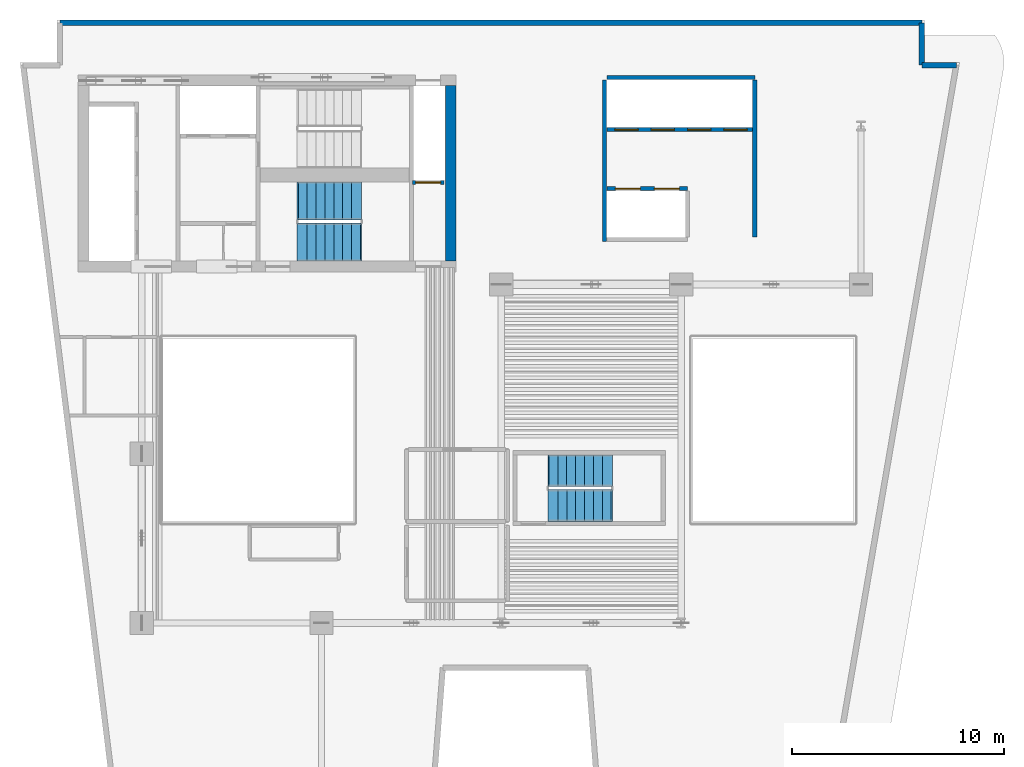
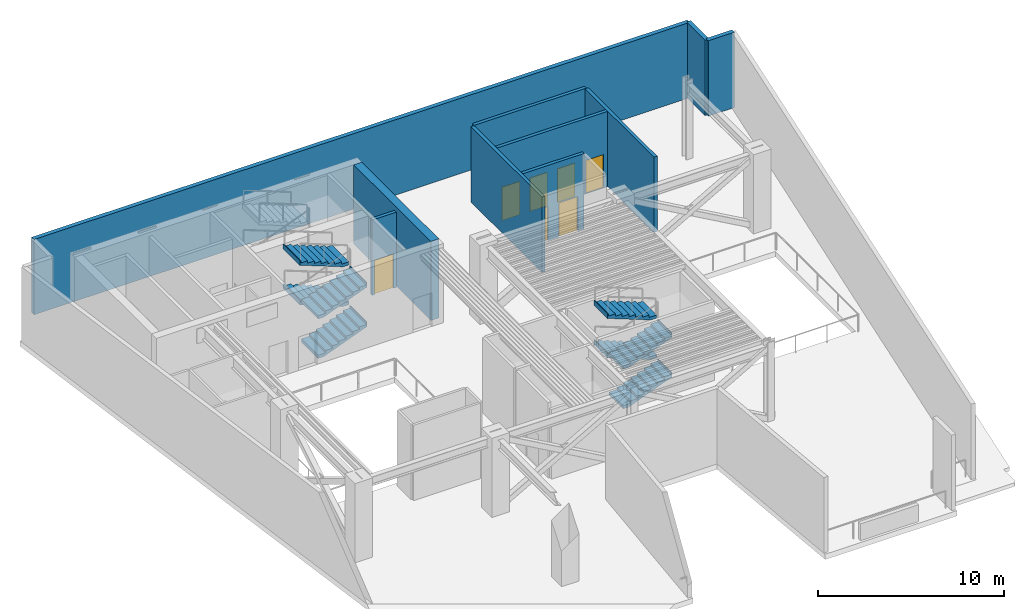
# One storey, part 4 of 8: 10 walls, 8 stair flights, 7 doors, 7 openings, 2 elements without a shape of their own.
"""IFC4 building model written with IfcOpenShell, lengths in metres."""

from ifc_helpers import new_model, si_unit, direction, frame, frame_2d, origin, place, context, subcontext, project, spatial, polyline, rectangle, outline, extrude, material, layer, layer_set, type_object, element, fill, aggregate, save


model = new_model("IFC4")

# Units and contexts
model_context = context("Model", 3, precision=1e-05, world=origin(), true_north=direction((0.0, 1.0)))
body_context = subcontext(model_context, "Body", "Model", "MODEL_VIEW")
ifc_project = project(units=[si_unit("LENGTHUNIT", "METRE"), si_unit("AREAUNIT", "SQUARE_METRE"), si_unit("VOLUMEUNIT", "CUBIC_METRE"), si_unit("PLANEANGLEUNIT", "RADIAN"), si_unit("MASSUNIT", "GRAM", prefix="KILO")], contexts=[model_context])

# Site, building, storey
site_placement = place(None, origin())
site = spatial("IfcSite", under=ifc_project, at=site_placement, CompositionType="ELEMENT")
building_placement = place(site_placement, origin())
building = spatial("IfcBuilding", under=site, at=building_placement, Name="Caeloran Harvest Quay", CompositionType="ELEMENT")
storey_placement = place(building_placement, frame((0.0, 0.0, 178.550048828125)))
storey = spatial("IfcBuildingStorey", under=building, at=storey_placement, Name="L42", CompositionType="ELEMENT", Elevation=178.550048828125)

# Walls
ifc_material_1 = material(Name="Precast concrete C50/60", Category="concrete")
ifc_layer_1 = layer(ifc_material_1, 0.260009765625, Name="Precast concrete C50/60")
ifc_layer_set_1 = layer_set([ifc_layer_1], Name="Precast concrete C50/60")
wall_type_1 = type_object("IfcWallType", Name="ENV-WALL-EW-260", PredefinedType="STANDARD", material=ifc_layer_set_1)
wall_1_placement = place(storey_placement, frame((4.6298828125, 43.3701171875, 0.0), z_axis=(0.0, 0.0, 1.0), x_axis=(1.0, 0.0, 0.0)))
element("IfcWall", 1, at=wall_1_placement, inside=storey, type_object=wall_type_1, Name="L42 Exterior Precast Concrete Facade Wall 6", PredefinedType="STANDARD", context=body_context, shape_type="SweptSolid", body=[
    extrude(rectangle(XDim=40.740234375, YDim=0.260009765625, at=frame_2d((20.3701171875, 0.0))), origin(), (0.0, 0.0, 1.0), 4.949951171875),
])
wall_2_placement = place(storey_placement, frame((45.3701171875, 43.3701171875, 0.0), z_axis=(0.0, 0.0, 1.0), x_axis=(0.0, -1.0, 0.0)))
element("IfcWall", 2, at=wall_2_placement, inside=storey, type_object=wall_type_1, Name="L42 Exterior Precast Concrete Facade Wall 7", PredefinedType="STANDARD", context=body_context, shape_type="SweptSolid", body=[
    extrude(rectangle(XDim=2.0, YDim=0.260009765625, at=frame_2d((1.0, 0.0))), origin(), (0.0, 0.0, 1.0), 4.949951171875),
])
wall_3_placement = place(storey_placement, frame((45.3701171875, 41.3701171875, 0.0), z_axis=(0.0, 0.0, 1.0), x_axis=(1.0, 0.0, 0.0)))
element("IfcWall", 3, at=wall_3_placement, inside=storey, type_object=wall_type_1, Name="L42 Exterior Precast Concrete Facade Wall 8", PredefinedType="STANDARD", context=body_context, shape_type="SweptSolid", body=[
    extrude(rectangle(XDim=1.6318359375, YDim=0.260009765625, at=frame_2d((0.81591796875, 0.0))), origin(), (0.0, 0.0, 1.0), 4.949951171875),
])

# Wall, opening, door
ifc_material_2 = material(Name="Concrete C50/60", Category="concrete")
ifc_layer_2 = layer(ifc_material_2, 0.199951171875, Name="Concrete C50/60")
ifc_layer_set_2 = layer_set([ifc_layer_2], Name="Concrete C50/60")
wall_type_2 = type_object("IfcWallType", Name="INT-WALL-SW-200", PredefinedType="PARTITIONING", material=ifc_layer_set_2)
wall_4_placement = place(storey_placement, frame((21.300048828125, 35.820068359375, 0.0), z_axis=(0.0, 0.0, 1.0), x_axis=(1.0, 0.0, 0.0)))
wall_4 = element("IfcWall", 4, at=wall_4_placement, inside=storey, type_object=wall_type_2, Name="L42 Service Lift SV-2 Shaft Wall", PredefinedType="PARTITIONING", context=body_context, shape_type="SweptSolid", body=[
    extrude(rectangle(XDim=1.5, YDim=0.199951171875, at=frame_2d((0.75, 0.0))), origin(), (0.0, 0.0, 1.0), 4.949951171875),
])
opening_1_placement = place(wall_4_placement, frame((0.14501953125, 0.0, 0.0)))
opening_1 = element("IfcOpeningElement", 5, at=opening_1_placement, cuts=wall_4, Name="Opening LD-02", PredefinedType="OPENING", context=body_context, shape_type="SweptSolid", body=[
    extrude(rectangle(XDim=1.179931640625, YDim=2.25, at=frame_2d((0.58984375, 1.125))), frame((0.0, 0.10986328125, 0.0), z_axis=(0.0, -1.0, 0.0), x_axis=(1.0, 0.0, 0.0)), (0.0, 0.0, 1.0), 0.219970703125),
])
ifc_material_3 = material(Name="Stainless Steel Grade 316", Category="steel")
door_type_1 = type_object("IfcDoorType", Name="INTDOOR-LD-02", OperationType="NOTDEFINED", PredefinedType="DOOR", material=ifc_material_3)
door_1_placement = place(opening_1_placement, origin())
door_1 = element("IfcDoor", 6, at=door_1_placement, inside=storey, type_object=door_type_1, Name="Lift SV-2 Sliding Landing Door (L42)", OperationType="DOUBLE_DOOR_SLIDING", OverallHeight=2.25, OverallWidth=1.179931640625, PredefinedType="DOOR", context=body_context, shape_type="SweptSolid", body=[
    extrude(rectangle(XDim=1.179931640625, YDim=2.25, at=frame_2d((0.58984375, 1.125))), frame((0.0, 0.02490234375, 0.0), z_axis=(0.0, -1.0, 0.0), x_axis=(1.0, 0.0, 0.0)), (0.0, 0.0, 1.0), 0.050048828125),
])
fill(opening_1, door_1)

# Walls
wall_5_placement = place(storey_placement, frame((30.3798828125, 33.02001953125, 0.0), z_axis=(0.0, 0.0, 1.0), x_axis=(0.0, 1.0, 0.0)))
element("IfcWall", 7, at=wall_5_placement, inside=storey, type_object=wall_type_2, Name="L42 Bank 2 and Shuttle Lift Shaft West Wall", PredefinedType="PARTITIONING", context=body_context, shape_type="SweptSolid", body=[
    extrude(rectangle(XDim=7.639892578125, YDim=0.199951171875, at=frame_2d((3.81982421875, 0.0))), origin(), (0.0, 0.0, 1.0), 4.949951171875),
])
wall_6_placement = place(storey_placement, frame((30.5, 40.780029296875, 0.0), z_axis=(0.0, 0.0, 1.0), x_axis=(1.0, 0.0, 0.0)))
element("IfcWall", 8, at=wall_6_placement, inside=storey, type_object=wall_type_2, Name="L42 Bank 2 Lift Shaft North Wall", PredefinedType="PARTITIONING", context=body_context, shape_type="SweptSolid", body=[
    extrude(rectangle(XDim=6.97998046875, YDim=0.199951171875, at=frame_2d((3.489990234375, 0.0))), origin(), (0.0, 0.0, 1.0), 4.949951171875),
])
wall_7_placement = place(storey_placement, frame((37.47998046875, 33.239990234375, 0.0), z_axis=(0.0, 0.0, 1.0), x_axis=(0.0, 1.0, 0.0)))
element("IfcWall", 9, at=wall_7_placement, inside=storey, type_object=wall_type_2, Name="L42 Bank 2 Lift Shaft East Wall", PredefinedType="PARTITIONING", context=body_context, shape_type="SweptSolid", body=[
    extrude(rectangle(XDim=7.419921875, YDim=0.199951171875, at=frame_2d((3.7099609375, 0.0))), origin(), (0.0, 0.0, 1.0), 4.949951171875),
])

# Wall, openings, doors
wall_8_placement = place(storey_placement, frame((30.5, 38.320068359375, 0.0), z_axis=(0.0, 0.0, 1.0), x_axis=(1.0, 0.0, 0.0)))
wall_8 = element("IfcWall", 10, at=wall_8_placement, inside=storey, type_object=wall_type_2, Name="L42 Bank 2 Lift Landing Front Wall", PredefinedType="PARTITIONING", context=body_context, shape_type="SweptSolid", body=[
    extrude(rectangle(XDim=6.860107421875, YDim=0.199951171875, at=frame_2d((3.43017578125, 0.0))), origin(), (0.0, 0.0, 1.0), 4.949951171875),
])
opening_2_placement = place(wall_8_placement, frame((0.360107421875, 0.0, 0.0)))
opening_2 = element("IfcOpeningElement", 11, at=opening_2_placement, cuts=wall_8, Name="Opening LD-01", PredefinedType="OPENING", context=body_context, shape_type="SweptSolid", body=[
    extrude(rectangle(XDim=1.10009765625, YDim=2.199951171875, at=frame_2d((0.550048828125, 1.10009765625))), frame((0.0, 0.10986328125, 0.0), z_axis=(0.0, -1.0, 0.0), x_axis=(1.0, 0.0, 0.0)), (0.0, 0.0, 1.0), 0.219970703125),
])
opening_3_placement = place(wall_8_placement, frame((2.080078125, 0.0, 0.0)))
opening_3 = element("IfcOpeningElement", 12, at=opening_3_placement, cuts=wall_8, Name="Opening LD-01", PredefinedType="OPENING", context=body_context, shape_type="SweptSolid", body=[
    extrude(rectangle(XDim=1.10009765625, YDim=2.199951171875, at=frame_2d((0.550048828125, 1.10009765625))), frame((0.0, 0.10986328125, 0.0), z_axis=(0.0, -1.0, 0.0), x_axis=(1.0, 0.0, 0.0)), (0.0, 0.0, 1.0), 0.219970703125),
])
opening_4_placement = place(wall_8_placement, frame((3.800048828125, 0.0, 0.0)))
opening_4 = element("IfcOpeningElement", 13, at=opening_4_placement, cuts=wall_8, Name="Opening LD-01", PredefinedType="OPENING", context=body_context, shape_type="SweptSolid", body=[
    extrude(rectangle(XDim=1.10009765625, YDim=2.199951171875, at=frame_2d((0.550048828125, 1.10009765625))), frame((0.0, 0.10986328125, 0.0), z_axis=(0.0, -1.0, 0.0), x_axis=(1.0, 0.0, 0.0)), (0.0, 0.0, 1.0), 0.219970703125),
])
opening_5_placement = place(wall_8_placement, frame((5.52001953125, 0.0, 0.0)))
opening_5 = element("IfcOpeningElement", 14, at=opening_5_placement, cuts=wall_8, Name="Opening LD-01", PredefinedType="OPENING", context=body_context, shape_type="SweptSolid", body=[
    extrude(rectangle(XDim=1.10009765625, YDim=2.199951171875, at=frame_2d((0.550048828125, 1.10009765625))), frame((0.0, 0.10986328125, 0.0), z_axis=(0.0, -1.0, 0.0), x_axis=(1.0, 0.0, 0.0)), (0.0, 0.0, 1.0), 0.219970703125),
])
door_type_2 = type_object("IfcDoorType", Name="INTDOOR-LD-01", OperationType="NOTDEFINED", PredefinedType="DOOR", material=ifc_material_3)
door_2_placement = place(opening_2_placement, origin())
door_2 = element("IfcDoor", 15, at=door_2_placement, inside=storey, type_object=door_type_2, Name="Lift P2-1 Sliding Landing Door (L42)", OperationType="DOUBLE_DOOR_SLIDING", OverallHeight=2.199951171875, OverallWidth=1.10009765625, PredefinedType="DOOR", context=body_context, shape_type="SweptSolid", body=[
    extrude(rectangle(XDim=1.10009765625, YDim=2.199951171875, at=frame_2d((0.550048828125, 1.10009765625))), frame((0.0, 0.02490234375, 0.0), z_axis=(0.0, -1.0, 0.0), x_axis=(1.0, 0.0, 0.0)), (0.0, 0.0, 1.0), 0.050048828125),
])
fill(opening_2, door_2)
door_3_placement = place(opening_3_placement, origin())
door_3 = element("IfcDoor", 16, at=door_3_placement, inside=storey, type_object=door_type_2, Name="Lift P2-2 Sliding Landing Door (L42)", OperationType="DOUBLE_DOOR_SLIDING", OverallHeight=2.199951171875, OverallWidth=1.10009765625, PredefinedType="DOOR", context=body_context, shape_type="SweptSolid", body=[
    extrude(rectangle(XDim=1.10009765625, YDim=2.199951171875, at=frame_2d((0.550048828125, 1.10009765625))), frame((0.0, 0.02490234375, 0.0), z_axis=(0.0, -1.0, 0.0), x_axis=(1.0, 0.0, 0.0)), (0.0, 0.0, 1.0), 0.050048828125),
])
fill(opening_3, door_3)
door_4_placement = place(opening_4_placement, origin())
door_4 = element("IfcDoor", 17, at=door_4_placement, inside=storey, type_object=door_type_2, Name="Lift P2-3 Sliding Landing Door (L42)", OperationType="DOUBLE_DOOR_SLIDING", OverallHeight=2.199951171875, OverallWidth=1.10009765625, PredefinedType="DOOR", context=body_context, shape_type="SweptSolid", body=[
    extrude(rectangle(XDim=1.10009765625, YDim=2.199951171875, at=frame_2d((0.550048828125, 1.10009765625))), frame((0.0, 0.02490234375, 0.0), z_axis=(0.0, -1.0, 0.0), x_axis=(1.0, 0.0, 0.0)), (0.0, 0.0, 1.0), 0.050048828125),
])
fill(opening_4, door_4)
door_5_placement = place(opening_5_placement, origin())
door_5 = element("IfcDoor", 18, at=door_5_placement, inside=storey, type_object=door_type_2, Name="Lift P2-4 Sliding Landing Door (L42)", OperationType="DOUBLE_DOOR_SLIDING", OverallHeight=2.199951171875, OverallWidth=1.10009765625, PredefinedType="DOOR", context=body_context, shape_type="SweptSolid", body=[
    extrude(rectangle(XDim=1.10009765625, YDim=2.199951171875, at=frame_2d((0.550048828125, 1.10009765625))), frame((0.0, 0.02490234375, 0.0), z_axis=(0.0, -1.0, 0.0), x_axis=(1.0, 0.0, 0.0)), (0.0, 0.0, 1.0), 0.050048828125),
])
fill(opening_5, door_5)

wall_9_placement = place(storey_placement, frame((30.5, 35.530029296875, 0.0), z_axis=(0.0, 0.0, 1.0), x_axis=(1.0, 0.0, 0.0)))
wall_9 = element("IfcWall", 19, at=wall_9_placement, inside=storey, type_object=wall_type_2, Name="L42 Shuttle Lift Landing Front Wall", PredefinedType="PARTITIONING", context=body_context, shape_type="SweptSolid", body=[
    extrude(rectangle(XDim=3.800048828125, YDim=0.199951171875, at=frame_2d((1.89990234375, 0.0))), origin(), (0.0, 0.0, 1.0), 4.949951171875),
])
opening_6_placement = place(wall_9_placement, frame((0.385009765625, 0.0, 0.0)))
opening_6 = element("IfcOpeningElement", 20, at=opening_6_placement, cuts=wall_9, Name="Opening LD-02", PredefinedType="OPENING", context=body_context, shape_type="SweptSolid", body=[
    extrude(rectangle(XDim=1.179931640625, YDim=2.25, at=frame_2d((0.58984375, 1.125))), frame((0.0, 0.10986328125, 0.0), z_axis=(0.0, -1.0, 0.0), x_axis=(1.0, 0.0, 0.0)), (0.0, 0.0, 1.0), 0.219970703125),
])
opening_7_placement = place(wall_9_placement, frame((2.235107421875, 0.0, 0.0)))
opening_7 = element("IfcOpeningElement", 21, at=opening_7_placement, cuts=wall_9, Name="Opening LD-02", PredefinedType="OPENING", context=body_context, shape_type="SweptSolid", body=[
    extrude(rectangle(XDim=1.179931640625, YDim=2.25, at=frame_2d((0.58984375, 1.125))), frame((0.0, 0.10986328125, 0.0), z_axis=(0.0, -1.0, 0.0), x_axis=(1.0, 0.0, 0.0)), (0.0, 0.0, 1.0), 0.219970703125),
])
door_6_placement = place(opening_6_placement, origin())
door_6 = element("IfcDoor", 22, at=door_6_placement, inside=storey, type_object=door_type_1, Name="Lift SH-1 Sliding Landing Door (L42)", OperationType="DOUBLE_DOOR_SLIDING", OverallHeight=2.25, OverallWidth=1.179931640625, PredefinedType="DOOR", context=body_context, shape_type="SweptSolid", body=[
    extrude(rectangle(XDim=1.179931640625, YDim=2.25, at=frame_2d((0.58984375, 1.125))), frame((0.0, 0.02490234375, 0.0), z_axis=(0.0, -1.0, 0.0), x_axis=(1.0, 0.0, 0.0)), (0.0, 0.0, 1.0), 0.050048828125),
])
fill(opening_6, door_6)
door_7_placement = place(opening_7_placement, origin())
door_7 = element("IfcDoor", 23, at=door_7_placement, inside=storey, type_object=door_type_1, Name="Lift SH-2 Sliding Landing Door (L42)", OperationType="DOUBLE_DOOR_SLIDING", OverallHeight=2.25, OverallWidth=1.179931640625, PredefinedType="DOOR", context=body_context, shape_type="SweptSolid", body=[
    extrude(rectangle(XDim=1.179931640625, YDim=2.25, at=frame_2d((0.58984375, 1.125))), frame((0.0, 0.02490234375, 0.0), z_axis=(0.0, -1.0, 0.0), x_axis=(1.0, 0.0, 0.0)), (0.0, 0.0, 1.0), 0.050048828125),
])
fill(opening_7, door_7)

# Wall
ifc_material_4 = material(Name="Concrete C70/85", Category="concrete")
ifc_layer_3 = layer(ifc_material_4, 0.5, Name="Concrete C70/85")
ifc_layer_set_3 = layer_set([ifc_layer_3], Name="Concrete C70/85")
wall_type_3 = type_object("IfcWallType", Name="STR-WALL-CW-500", PredefinedType="SHEAR", material=ifc_layer_set_3)
wall_10_placement = place(storey_placement, frame((23.10009765625, 32.10009765625, 0.0), z_axis=(0.0, 0.0, 1.0), x_axis=(0.0, 1.0, 0.0)))
element("IfcWall", 24, at=wall_10_placement, inside=storey, type_object=wall_type_3, Name="L42 Rear Core Shear Wall E", PredefinedType="SHEAR", context=body_context, shape_type="SweptSolid", body=[
    extrude(rectangle(XDim=8.2998046875, YDim=0.5, at=frame_2d((4.14990234375, 0.0))), origin(), (0.0, 0.0, 1.0), 5.199951171875),
])

# Stair, stair flights
stair_type_1 = type_object("IfcStairType", Name="STAIR-STC-180", PredefinedType="HALF_TURN_STAIR", material=ifc_material_2)
stair_1_placement = place(storey_placement, origin())
stair_1 = element("IfcStair", 25, at=stair_1_placement, inside=storey, type_object=stair_type_1, Name="L42 Core Pressurized Exit Stair ST-C2", PredefinedType="HALF_TURN_STAIR")
stair_flight_type_1 = type_object("IfcStairFlightType", Name="FLIGHT-STC-180", PredefinedType="STRAIGHT", material=ifc_material_2)
stair_flight_1_placement = place(storey_placement, frame((15.89990234375, 33.0, 0.0), z_axis=(0.0, 0.0, 1.0), x_axis=(1.0, 0.0, 0.0)))
stair_flight_1 = element("IfcStairFlight", 26, at=stair_flight_1_placement, type_object=stair_flight_type_1, Name="ST-C2 flight 1", NumberOfRisers=8, NumberOfTreads=7, PredefinedType="STRAIGHT", RiserHeight=0.1625, TreadLength=0.42, context=body_context, shape_type="SweptSolid", body=[
    extrude(outline(polyline([(-0.054931640625, -0.044921875), (-0.054931640625, -0.031982421875), (-0.054931640625, -0.01904296875), (-0.054931640625, -0.006103515625), (-0.054931640625, 0.0068359375), (-0.054931640625, 0.019775390625), (-0.054931640625, 0.03271484375), (-0.054931640625, 0.0458984375), (-0.054931640625, 0.058837890625), (-0.054931640625, 0.07177734375), (-0.054931640625, 0.084716796875), (-0.054931640625, 0.09765625), (-0.054931640625, 0.110595703125), (-0.054931640625, 0.12353515625), (-0.054931640625, 0.136474609375), (-0.054931640625, 0.1494140625), (-0.054931640625, 0.16259765625), (0.419921875, 0.16259765625), (0.419921875, 0.324951171875), (0.840087890625, 0.324951171875), (0.840087890625, 0.487548828125), (1.260009765625, 0.487548828125), (1.260009765625, 0.64990234375), (1.679931640625, 0.64990234375), (1.679931640625, 0.8125), (2.10009765625, 0.8125), (2.10009765625, 0.97509765625), (2.52001953125, 0.97509765625), (2.52001953125, 1.137451171875), (2.93994140625, 1.137451171875), (2.93994140625, 1.300048828125), (2.9951171875, 1.300048828125), (2.9951171875, 1.27978515625), (2.9951171875, 1.259521484375), (2.9951171875, 1.239501953125), (2.9951171875, 1.21923828125), (2.9951171875, 1.198974609375), (2.9951171875, 1.1787109375), (2.9951171875, 1.15869140625), (2.9951171875, 1.138427734375), (2.9951171875, 1.1181640625), (2.9951171875, 1.097900390625), (2.9951171875, 1.077880859375), (2.9951171875, 1.0576171875), (2.9951171875, 1.037353515625), (2.9951171875, 1.01708984375), (2.9951171875, 0.9970703125), (2.9951171875, 0.976806640625), (2.93994140625, 0.976806640625), (0.299072265625, -0.044921875), (-0.054931640625, -0.044921875)])), frame((0.0, 0.89990234375, 0.0), z_axis=(0.0, -1.0, 0.0), x_axis=(1.0, 0.0, 0.0)), (0.0, 0.0, 1.0), 1.800048828125),
])
stair_flight_2_placement = place(storey_placement, frame((18.840087890625, 34.949951171875, 1.300048828125), z_axis=(0.0, 0.0, 1.0), x_axis=(-1.0, 0.0, 0.0)))
stair_flight_2 = element("IfcStairFlight", 27, at=stair_flight_2_placement, type_object=stair_flight_type_1, Name="ST-C2 flight 2", NumberOfRisers=8, NumberOfTreads=7, PredefinedType="STRAIGHT", RiserHeight=0.1625, TreadLength=0.42, context=body_context, shape_type="SweptSolid", body=[
    extrude(outline(polyline([(-0.054931640625, -0.044921875), (-0.054931640625, -0.031982421875), (-0.054931640625, -0.01904296875), (-0.054931640625, -0.006103515625), (-0.054931640625, 0.0068359375), (-0.054931640625, 0.019775390625), (-0.054931640625, 0.03271484375), (-0.054931640625, 0.0458984375), (-0.054931640625, 0.058837890625), (-0.054931640625, 0.07177734375), (-0.054931640625, 0.084716796875), (-0.054931640625, 0.09765625), (-0.054931640625, 0.110595703125), (-0.054931640625, 0.12353515625), (-0.054931640625, 0.136474609375), (-0.054931640625, 0.1494140625), (-0.054931640625, 0.16259765625), (0.419921875, 0.16259765625), (0.419921875, 0.324951171875), (0.840087890625, 0.324951171875), (0.840087890625, 0.487548828125), (1.260009765625, 0.487548828125), (1.260009765625, 0.64990234375), (1.679931640625, 0.64990234375), (1.679931640625, 0.8125), (2.10009765625, 0.8125), (2.10009765625, 0.97509765625), (2.52001953125, 0.97509765625), (2.52001953125, 1.137451171875), (2.93994140625, 1.137451171875), (2.93994140625, 1.300048828125), (2.9951171875, 1.300048828125), (2.9951171875, 1.27978515625), (2.9951171875, 1.259521484375), (2.9951171875, 1.239501953125), (2.9951171875, 1.21923828125), (2.9951171875, 1.198974609375), (2.9951171875, 1.1787109375), (2.9951171875, 1.15869140625), (2.9951171875, 1.138427734375), (2.9951171875, 1.1181640625), (2.9951171875, 1.097900390625), (2.9951171875, 1.077880859375), (2.9951171875, 1.0576171875), (2.9951171875, 1.037353515625), (2.9951171875, 1.01708984375), (2.9951171875, 0.9970703125), (2.9951171875, 0.976806640625), (2.93994140625, 0.976806640625), (0.299072265625, -0.044921875), (-0.054931640625, -0.044921875)])), frame((0.0, 0.89990234375, 0.0), z_axis=(0.0, -1.0, 0.0), x_axis=(1.0, 0.0, 0.0)), (0.0, 0.0, 1.0), 1.800048828125),
])
stair_flight_3_placement = place(storey_placement, frame((15.89990234375, 33.0, 2.599853515625), z_axis=(0.0, 0.0, 1.0), x_axis=(1.0, 0.0, 0.0)))
stair_flight_3 = element("IfcStairFlight", 28, at=stair_flight_3_placement, type_object=stair_flight_type_1, Name="ST-C2 flight 3", NumberOfRisers=8, NumberOfTreads=7, PredefinedType="STRAIGHT", RiserHeight=0.1625, TreadLength=0.42, context=body_context, shape_type="SweptSolid", body=[
    extrude(outline(polyline([(-0.054931640625, -0.044921875), (-0.054931640625, -0.031982421875), (-0.054931640625, -0.01904296875), (-0.054931640625, -0.006103515625), (-0.054931640625, 0.0068359375), (-0.054931640625, 0.019775390625), (-0.054931640625, 0.03271484375), (-0.054931640625, 0.0458984375), (-0.054931640625, 0.058837890625), (-0.054931640625, 0.07177734375), (-0.054931640625, 0.084716796875), (-0.054931640625, 0.09765625), (-0.054931640625, 0.110595703125), (-0.054931640625, 0.12353515625), (-0.054931640625, 0.136474609375), (-0.054931640625, 0.1494140625), (-0.054931640625, 0.16259765625), (0.419921875, 0.16259765625), (0.419921875, 0.324951171875), (0.840087890625, 0.324951171875), (0.840087890625, 0.487548828125), (1.260009765625, 0.487548828125), (1.260009765625, 0.64990234375), (1.679931640625, 0.64990234375), (1.679931640625, 0.8125), (2.10009765625, 0.8125), (2.10009765625, 0.97509765625), (2.52001953125, 0.97509765625), (2.52001953125, 1.137451171875), (2.93994140625, 1.137451171875), (2.93994140625, 1.300048828125), (2.9951171875, 1.300048828125), (2.9951171875, 1.27978515625), (2.9951171875, 1.259521484375), (2.9951171875, 1.239501953125), (2.9951171875, 1.21923828125), (2.9951171875, 1.198974609375), (2.9951171875, 1.1787109375), (2.9951171875, 1.15869140625), (2.9951171875, 1.138427734375), (2.9951171875, 1.1181640625), (2.9951171875, 1.097900390625), (2.9951171875, 1.077880859375), (2.9951171875, 1.0576171875), (2.9951171875, 1.037353515625), (2.9951171875, 1.01708984375), (2.9951171875, 0.9970703125), (2.9951171875, 0.976806640625), (2.93994140625, 0.976806640625), (0.299072265625, -0.044921875), (-0.054931640625, -0.044921875)])), frame((0.0, 0.89990234375, 0.0), z_axis=(0.0, -1.0, 0.0), x_axis=(1.0, 0.0, 0.0)), (0.0, 0.0, 1.0), 1.800048828125),
])
stair_flight_4_placement = place(storey_placement, frame((18.840087890625, 34.949951171875, 3.89990234375), z_axis=(0.0, 0.0, 1.0), x_axis=(-1.0, 0.0, 0.0)))
stair_flight_4 = element("IfcStairFlight", 29, at=stair_flight_4_placement, type_object=stair_flight_type_1, Name="ST-C2 flight 4", NumberOfRisers=8, NumberOfTreads=7, PredefinedType="STRAIGHT", RiserHeight=0.1625, TreadLength=0.42, context=body_context, shape_type="SweptSolid", body=[
    extrude(outline(polyline([(-0.054931640625, -0.044921875), (-0.054931640625, -0.031982421875), (-0.054931640625, -0.01904296875), (-0.054931640625, -0.006103515625), (-0.054931640625, 0.0068359375), (-0.054931640625, 0.019775390625), (-0.054931640625, 0.03271484375), (-0.054931640625, 0.0458984375), (-0.054931640625, 0.058837890625), (-0.054931640625, 0.07177734375), (-0.054931640625, 0.084716796875), (-0.054931640625, 0.09765625), (-0.054931640625, 0.110595703125), (-0.054931640625, 0.12353515625), (-0.054931640625, 0.136474609375), (-0.054931640625, 0.1494140625), (-0.054931640625, 0.16259765625), (0.419921875, 0.16259765625), (0.419921875, 0.324951171875), (0.840087890625, 0.324951171875), (0.840087890625, 0.487548828125), (1.260009765625, 0.487548828125), (1.260009765625, 0.64990234375), (1.679931640625, 0.64990234375), (1.679931640625, 0.8125), (2.10009765625, 0.8125), (2.10009765625, 0.97509765625), (2.52001953125, 0.97509765625), (2.52001953125, 1.137451171875), (2.93994140625, 1.137451171875), (2.93994140625, 1.300048828125), (2.9951171875, 1.300048828125), (2.9951171875, 1.27978515625), (2.9951171875, 1.259521484375), (2.9951171875, 1.239501953125), (2.9951171875, 1.21923828125), (2.9951171875, 1.198974609375), (2.9951171875, 1.1787109375), (2.9951171875, 1.15869140625), (2.9951171875, 1.138427734375), (2.9951171875, 1.1181640625), (2.9951171875, 1.097900390625), (2.9951171875, 1.077880859375), (2.9951171875, 1.0576171875), (2.9951171875, 1.037353515625), (2.9951171875, 1.01708984375), (2.9951171875, 0.9970703125), (2.9951171875, 0.976806640625), (2.93994140625, 0.976806640625), (0.299072265625, -0.044921875), (-0.054931640625, -0.044921875)])), frame((0.0, 0.89990234375, 0.0), z_axis=(0.0, -1.0, 0.0), x_axis=(1.0, 0.0, 0.0)), (0.0, 0.0, 1.0), 1.800048828125),
])
aggregate(stair_1, [stair_flight_1, stair_flight_2, stair_flight_3, stair_flight_4])

stair_type_2 = type_object("IfcStairType", Name="STAIR-STW-150", PredefinedType="HALF_TURN_STAIR", material=ifc_material_2)
stair_2_placement = place(storey_placement, origin())
stair_2 = element("IfcStair", 30, at=stair_2_placement, inside=storey, type_object=stair_type_2, Name="L42 East Wing Protected Exit Stair ST-W1", PredefinedType="HALF_TURN_STAIR")
stair_flight_type_2 = type_object("IfcStairFlightType", Name="FLIGHT-STW-150", PredefinedType="STRAIGHT", material=ifc_material_2)
stair_flight_5_placement = place(storey_placement, frame((27.75, 20.550048828125, 0.0), z_axis=(0.0, 0.0, 1.0), x_axis=(1.0, 0.0, 0.0)))
stair_flight_5 = element("IfcStairFlight", 31, at=stair_flight_5_placement, type_object=stair_flight_type_2, Name="ST-W1 flight 1", NumberOfRisers=8, NumberOfTreads=7, PredefinedType="STRAIGHT", RiserHeight=0.1625, TreadLength=0.42, context=body_context, shape_type="SweptSolid", body=[
    extrude(outline(polyline([(-0.054931640625, -0.044921875), (-0.054931640625, -0.031982421875), (-0.054931640625, -0.01904296875), (-0.054931640625, -0.006103515625), (-0.054931640625, 0.0068359375), (-0.054931640625, 0.019775390625), (-0.054931640625, 0.03271484375), (-0.054931640625, 0.0458984375), (-0.054931640625, 0.058837890625), (-0.054931640625, 0.07177734375), (-0.054931640625, 0.084716796875), (-0.054931640625, 0.09765625), (-0.054931640625, 0.110595703125), (-0.054931640625, 0.12353515625), (-0.054931640625, 0.136474609375), (-0.054931640625, 0.1494140625), (-0.054931640625, 0.16259765625), (0.419921875, 0.16259765625), (0.419921875, 0.324951171875), (0.840087890625, 0.324951171875), (0.840087890625, 0.487548828125), (1.260009765625, 0.487548828125), (1.260009765625, 0.64990234375), (1.679931640625, 0.64990234375), (1.679931640625, 0.8125), (2.10009765625, 0.8125), (2.10009765625, 0.97509765625), (2.52001953125, 0.97509765625), (2.52001953125, 1.137451171875), (2.93994140625, 1.137451171875), (2.93994140625, 1.300048828125), (2.9951171875, 1.300048828125), (2.9951171875, 1.27978515625), (2.9951171875, 1.259521484375), (2.9951171875, 1.239501953125), (2.9951171875, 1.21923828125), (2.9951171875, 1.198974609375), (2.9951171875, 1.1787109375), (2.9951171875, 1.15869140625), (2.9951171875, 1.138427734375), (2.9951171875, 1.1181640625), (2.9951171875, 1.097900390625), (2.9951171875, 1.077880859375), (2.9951171875, 1.0576171875), (2.9951171875, 1.037353515625), (2.9951171875, 1.01708984375), (2.9951171875, 0.9970703125), (2.9951171875, 0.976806640625), (2.93994140625, 0.976806640625), (0.299072265625, -0.044921875), (-0.054931640625, -0.044921875)])), frame((0.0, 0.75, 0.0), z_axis=(0.0, -1.0, 0.0), x_axis=(1.0, 0.0, 0.0)), (0.0, 0.0, 1.0), 1.5),
])
stair_flight_6_placement = place(storey_placement, frame((30.68994140625, 22.199951171875, 1.300048828125), z_axis=(0.0, 0.0, 1.0), x_axis=(-1.0, 0.0, 0.0)))
stair_flight_6 = element("IfcStairFlight", 32, at=stair_flight_6_placement, type_object=stair_flight_type_2, Name="ST-W1 flight 2", NumberOfRisers=8, NumberOfTreads=7, PredefinedType="STRAIGHT", RiserHeight=0.1625, TreadLength=0.42, context=body_context, shape_type="SweptSolid", body=[
    extrude(outline(polyline([(-0.054931640625, -0.044921875), (-0.054931640625, -0.031982421875), (-0.054931640625, -0.01904296875), (-0.054931640625, -0.006103515625), (-0.054931640625, 0.0068359375), (-0.054931640625, 0.019775390625), (-0.054931640625, 0.03271484375), (-0.054931640625, 0.0458984375), (-0.054931640625, 0.058837890625), (-0.054931640625, 0.07177734375), (-0.054931640625, 0.084716796875), (-0.054931640625, 0.09765625), (-0.054931640625, 0.110595703125), (-0.054931640625, 0.12353515625), (-0.054931640625, 0.136474609375), (-0.054931640625, 0.1494140625), (-0.054931640625, 0.16259765625), (0.419921875, 0.16259765625), (0.419921875, 0.324951171875), (0.840087890625, 0.324951171875), (0.840087890625, 0.487548828125), (1.260009765625, 0.487548828125), (1.260009765625, 0.64990234375), (1.679931640625, 0.64990234375), (1.679931640625, 0.8125), (2.10009765625, 0.8125), (2.10009765625, 0.97509765625), (2.52001953125, 0.97509765625), (2.52001953125, 1.137451171875), (2.93994140625, 1.137451171875), (2.93994140625, 1.300048828125), (2.9951171875, 1.300048828125), (2.9951171875, 1.27978515625), (2.9951171875, 1.259521484375), (2.9951171875, 1.239501953125), (2.9951171875, 1.21923828125), (2.9951171875, 1.198974609375), (2.9951171875, 1.1787109375), (2.9951171875, 1.15869140625), (2.9951171875, 1.138427734375), (2.9951171875, 1.1181640625), (2.9951171875, 1.097900390625), (2.9951171875, 1.077880859375), (2.9951171875, 1.0576171875), (2.9951171875, 1.037353515625), (2.9951171875, 1.01708984375), (2.9951171875, 0.9970703125), (2.9951171875, 0.976806640625), (2.93994140625, 0.976806640625), (0.299072265625, -0.044921875), (-0.054931640625, -0.044921875)])), frame((0.0, 0.75, 0.0), z_axis=(0.0, -1.0, 0.0), x_axis=(1.0, 0.0, 0.0)), (0.0, 0.0, 1.0), 1.5),
])
stair_flight_7_placement = place(storey_placement, frame((27.75, 20.550048828125, 2.599853515625), z_axis=(0.0, 0.0, 1.0), x_axis=(1.0, 0.0, 0.0)))
stair_flight_7 = element("IfcStairFlight", 33, at=stair_flight_7_placement, type_object=stair_flight_type_2, Name="ST-W1 flight 3", NumberOfRisers=8, NumberOfTreads=7, PredefinedType="STRAIGHT", RiserHeight=0.1625, TreadLength=0.42, context=body_context, shape_type="SweptSolid", body=[
    extrude(outline(polyline([(-0.054931640625, -0.044921875), (-0.054931640625, -0.031982421875), (-0.054931640625, -0.01904296875), (-0.054931640625, -0.006103515625), (-0.054931640625, 0.0068359375), (-0.054931640625, 0.019775390625), (-0.054931640625, 0.03271484375), (-0.054931640625, 0.0458984375), (-0.054931640625, 0.058837890625), (-0.054931640625, 0.07177734375), (-0.054931640625, 0.084716796875), (-0.054931640625, 0.09765625), (-0.054931640625, 0.110595703125), (-0.054931640625, 0.12353515625), (-0.054931640625, 0.136474609375), (-0.054931640625, 0.1494140625), (-0.054931640625, 0.16259765625), (0.419921875, 0.16259765625), (0.419921875, 0.324951171875), (0.840087890625, 0.324951171875), (0.840087890625, 0.487548828125), (1.260009765625, 0.487548828125), (1.260009765625, 0.64990234375), (1.679931640625, 0.64990234375), (1.679931640625, 0.8125), (2.10009765625, 0.8125), (2.10009765625, 0.97509765625), (2.52001953125, 0.97509765625), (2.52001953125, 1.137451171875), (2.93994140625, 1.137451171875), (2.93994140625, 1.300048828125), (2.9951171875, 1.300048828125), (2.9951171875, 1.27978515625), (2.9951171875, 1.259521484375), (2.9951171875, 1.239501953125), (2.9951171875, 1.21923828125), (2.9951171875, 1.198974609375), (2.9951171875, 1.1787109375), (2.9951171875, 1.15869140625), (2.9951171875, 1.138427734375), (2.9951171875, 1.1181640625), (2.9951171875, 1.097900390625), (2.9951171875, 1.077880859375), (2.9951171875, 1.0576171875), (2.9951171875, 1.037353515625), (2.9951171875, 1.01708984375), (2.9951171875, 0.9970703125), (2.9951171875, 0.976806640625), (2.93994140625, 0.976806640625), (0.299072265625, -0.044921875), (-0.054931640625, -0.044921875)])), frame((0.0, 0.75, 0.0), z_axis=(0.0, -1.0, 0.0), x_axis=(1.0, 0.0, 0.0)), (0.0, 0.0, 1.0), 1.5),
])
stair_flight_8_placement = place(storey_placement, frame((30.68994140625, 22.199951171875, 3.89990234375), z_axis=(0.0, 0.0, 1.0), x_axis=(-1.0, 0.0, 0.0)))
stair_flight_8 = element("IfcStairFlight", 34, at=stair_flight_8_placement, type_object=stair_flight_type_2, Name="ST-W1 flight 4", NumberOfRisers=8, NumberOfTreads=7, PredefinedType="STRAIGHT", RiserHeight=0.1625, TreadLength=0.42, context=body_context, shape_type="SweptSolid", body=[
    extrude(outline(polyline([(-0.054931640625, -0.044921875), (-0.054931640625, -0.031982421875), (-0.054931640625, -0.01904296875), (-0.054931640625, -0.006103515625), (-0.054931640625, 0.0068359375), (-0.054931640625, 0.019775390625), (-0.054931640625, 0.03271484375), (-0.054931640625, 0.0458984375), (-0.054931640625, 0.058837890625), (-0.054931640625, 0.07177734375), (-0.054931640625, 0.084716796875), (-0.054931640625, 0.09765625), (-0.054931640625, 0.110595703125), (-0.054931640625, 0.12353515625), (-0.054931640625, 0.136474609375), (-0.054931640625, 0.1494140625), (-0.054931640625, 0.16259765625), (0.419921875, 0.16259765625), (0.419921875, 0.324951171875), (0.840087890625, 0.324951171875), (0.840087890625, 0.487548828125), (1.260009765625, 0.487548828125), (1.260009765625, 0.64990234375), (1.679931640625, 0.64990234375), (1.679931640625, 0.8125), (2.10009765625, 0.8125), (2.10009765625, 0.97509765625), (2.52001953125, 0.97509765625), (2.52001953125, 1.137451171875), (2.93994140625, 1.137451171875), (2.93994140625, 1.300048828125), (2.9951171875, 1.300048828125), (2.9951171875, 1.27978515625), (2.9951171875, 1.259521484375), (2.9951171875, 1.239501953125), (2.9951171875, 1.21923828125), (2.9951171875, 1.198974609375), (2.9951171875, 1.1787109375), (2.9951171875, 1.15869140625), (2.9951171875, 1.138427734375), (2.9951171875, 1.1181640625), (2.9951171875, 1.097900390625), (2.9951171875, 1.077880859375), (2.9951171875, 1.0576171875), (2.9951171875, 1.037353515625), (2.9951171875, 1.01708984375), (2.9951171875, 0.9970703125), (2.9951171875, 0.976806640625), (2.93994140625, 0.976806640625), (0.299072265625, -0.044921875), (-0.054931640625, -0.044921875)])), frame((0.0, 0.75, 0.0), z_axis=(0.0, -1.0, 0.0), x_axis=(1.0, 0.0, 0.0)), (0.0, 0.0, 1.0), 1.5),
])
aggregate(stair_2, [stair_flight_5, stair_flight_6, stair_flight_7, stair_flight_8])

save(model, "model.ifc")
